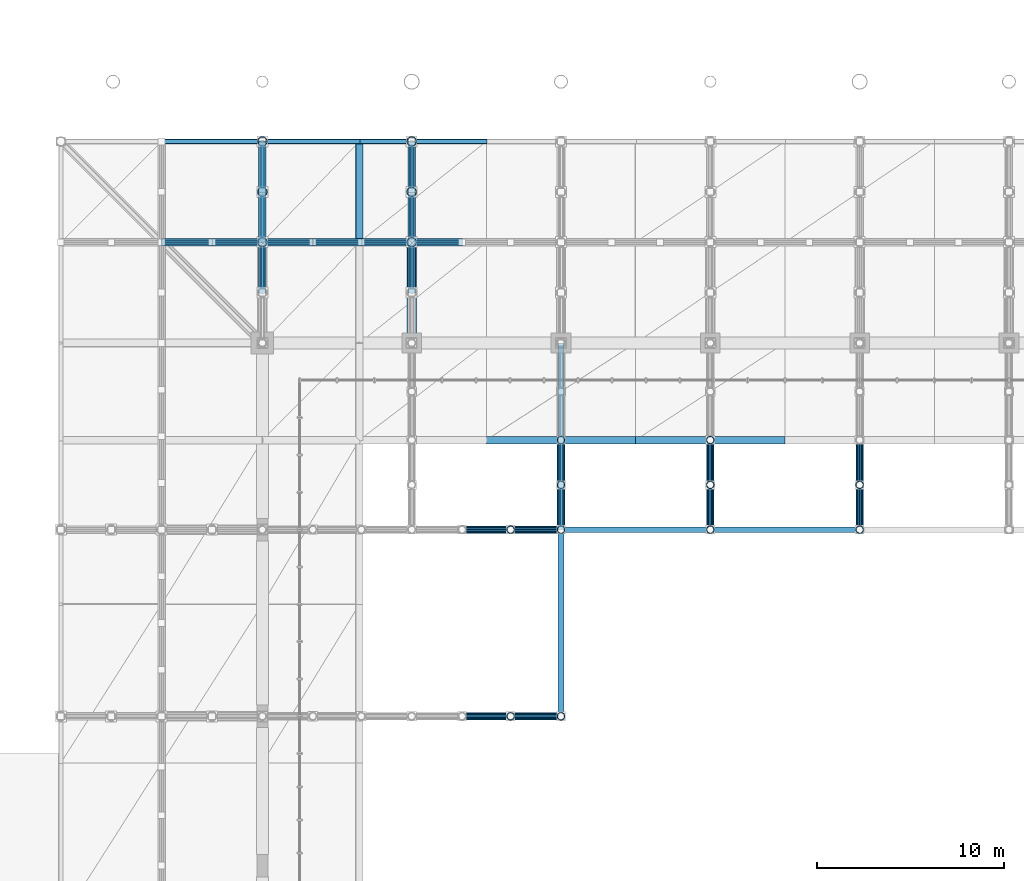
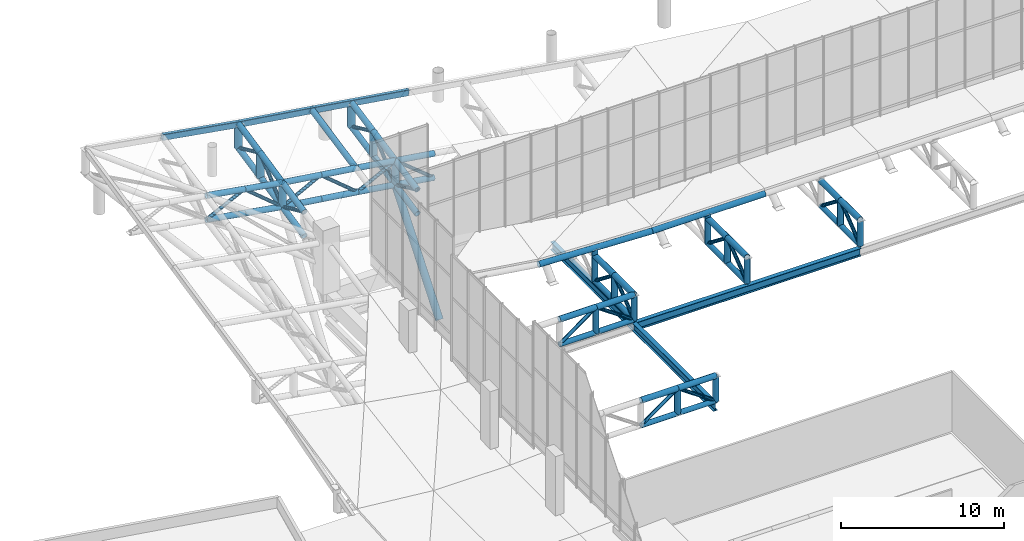
# One storey, part 43 of 137: 88 members, 6 beams.
"""IFC4 building model written with IfcOpenShell, lengths in metres."""

from ifc_helpers import new_model, si_unit, direction, frame, origin, origin_2d, place, context, subcontext, project, spatial, hollow_rectangle, hollow_circle, i_section, extrude, material, material_profile, profile_set, type_object, element, save


model = new_model("IFC4")

# Units and contexts
model_context = context("Model", 3, precision=1e-05, world=origin(), true_north=direction((0.0, 1.0)))
body_context = subcontext(model_context, "Body", "Model", "MODEL_VIEW")
ifc_project = project(units=[si_unit("LENGTHUNIT", "METRE"), si_unit("AREAUNIT", "SQUARE_METRE"), si_unit("VOLUMEUNIT", "CUBIC_METRE"), si_unit("PLANEANGLEUNIT", "RADIAN"), si_unit("MASSUNIT", "GRAM", prefix="KILO")], contexts=[model_context])

# Site, building, storey
site_placement = place(None, origin())
site = spatial("IfcSite", under=ifc_project, at=site_placement, CompositionType="ELEMENT")
building_placement = place(site_placement, origin())
building = spatial("IfcBuilding", under=site, at=building_placement, Name="Khorjan Park Terminus", CompositionType="ELEMENT")
storey_placement = place(building_placement, frame((0.0, 0.0, 11.4)))
storey = spatial("IfcBuildingStorey", under=building, at=storey_placement, Name="L02", CompositionType="ELEMENT", Elevation=11.4)

# Beams
ifc_material = material(Name="Steel S355", Category="steel")
ifc_material_profile_1 = material_profile(ifc_material, i_section(OverallWidth=0.3, OverallDepth=0.59, WebThickness=0.013, FlangeThickness=0.025, FilletRadius=0.027, at=origin_2d()), Name="HEA 600")
ifc_profile_set_1 = profile_set([ifc_material_profile_1], Name="Steel S355")
beam_type_1 = type_object("IfcBeamType", Name="BM-HEA600", PredefinedType="BEAM", material=ifc_profile_set_1)
beam_1_placement = place(storey_placement, frame((64.0, 78.0, -2.395), z_axis=(1.0, 0.0, 0.0), x_axis=(0.0, 1.0, 0.0)))
element("IfcBeam", 1, at=beam_1_placement, inside=storey, type_object=beam_type_1, Name="Lower shell truss support girder SB-A60 (X27)", PredefinedType="BEAM", context=body_context, shape_type="SweptSolid", body=[
    extrude(i_section(OverallWidth=0.3, OverallDepth=0.59, WebThickness=0.013, FlangeThickness=0.025, FilletRadius=0.027, at=origin_2d()), origin(), (0.0, 0.0, 1.0), 16.0),
])
for number, where, z_axis, x_axis, name in (
    (2, (64.0, 68.0, -2.395), (0.0, 1.0, 0.0), (-1.0, 0.0, 0.0), "Lower shell truss support girder SB-A60 (Y47)"),
    (3, (64.0, 78.0, -2.395), (0.0, 1.0, 0.0), (-1.0, 0.0, 0.0), "Lower shell truss support girder SB-A60 (Y48)"),
):
    element("IfcBeam", number, at=place(storey_placement, frame(where, z_axis=z_axis, x_axis=x_axis)), inside=storey, type_object=beam_type_1, Name=name, PredefinedType="BEAM", context=body_context, shape_type="SweptSolid", body=[
        extrude(i_section(OverallWidth=0.3, OverallDepth=0.59, WebThickness=0.013, FlangeThickness=0.025, FilletRadius=0.027, at=origin_2d()), origin(), (0.0, 0.0, 1.0), 10.0),
    ])

# Members
ifc_material_profile_2 = material_profile(ifc_material, hollow_circle(Radius=0.1222, WallThickness=0.0125, at=origin_2d()), Name="CHS 244.5x12.5")
ifc_profile_set_2 = profile_set([ifc_material_profile_2], Name="Steel S355")
member_type_1 = type_object("IfcMemberType", Name="MB-BR-245", PredefinedType="BRACE", material=ifc_profile_set_2)
for number, where, z_axis, x_axis, name in (
    (4, (64.0, 78.0, -1.92), (0.0, 0.788820985003, 0.614623017482), (-1.0, 0.0, 0.0), "Lower shell cantilever truss diagonal (3N)"),
    (5, (64.0, 80.4, -0.05), (0.0, 0.788820985003, -0.614623017482), (-1.0, 0.0, 0.0), "Lower shell cantilever truss diagonal (3N)"),
    (6, (72.0, 78.0, -1.92), (0.0, 0.788820985003, 0.614623017482), (-1.0, 0.0, 0.0), "Lower shell cantilever truss diagonal (4N)"),
    (7, (72.0, 80.4, -0.05), (0.0, 0.788820985003, -0.614623017482), (-1.0, 0.0, 0.0), "Lower shell cantilever truss diagonal (4N)"),
    (8, (80.0, 78.0, -1.92), (0.0, 0.788820985003, 0.614623017482), (-1.0, 0.0, 0.0), "Lower shell cantilever truss diagonal (5N)"),
    (9, (80.0, 80.4, -0.05), (0.0, 0.788820985003, -0.614623017482), (-1.0, 0.0, 0.0), "Lower shell cantilever truss diagonal (5N)"),
):
    element("IfcMember", number, at=place(storey_placement, frame(where, z_axis=z_axis, x_axis=x_axis)), inside=storey, type_object=member_type_1, Name=name, PredefinedType="BRACE", context=body_context, shape_type="SweptSolid", body=[
        extrude(hollow_circle(Radius=0.1222, WallThickness=0.0125, at=origin_2d()), origin(), (0.0, 0.0, 1.0), 3.0425),
    ])
member_1_placement = place(storey_placement, frame((58.7, 68.0, -1.92), z_axis=(0.811830357573, 0.0, 0.583893372562), x_axis=(0.0, 1.0, 0.0)))
element("IfcMember", 10, at=member_1_placement, inside=storey, type_object=member_type_1, Name="Lower shell W/E truss diagonal (W3)", PredefinedType="BRACE", context=body_context, shape_type="SweptSolid", body=[
    extrude(hollow_circle(Radius=0.1222, WallThickness=0.0125, at=origin_2d()), origin(), (0.0, 0.0, 1.0), 3.2026),
])
member_2_placement = place(storey_placement, frame((61.3, 68.0, -0.05), z_axis=(0.822082565391, 0.0, -0.569368295289), x_axis=(0.0, 1.0, 0.0)))
element("IfcMember", 11, at=member_2_placement, inside=storey, type_object=member_type_1, Name="Lower shell W/E truss diagonal (W3)", PredefinedType="BRACE", context=body_context, shape_type="SweptSolid", body=[
    extrude(hollow_circle(Radius=0.1222, WallThickness=0.0125, at=origin_2d()), origin(), (0.0, 0.0, 1.0), 3.2843),
])
member_3_placement = place(storey_placement, frame((58.7, 78.0, -1.92), z_axis=(0.811830357573, 0.0, 0.583893372562), x_axis=(0.0, 1.0, 0.0)))
element("IfcMember", 12, at=member_3_placement, inside=storey, type_object=member_type_1, Name="Lower shell W/E truss diagonal (W4)", PredefinedType="BRACE", context=body_context, shape_type="SweptSolid", body=[
    extrude(hollow_circle(Radius=0.1222, WallThickness=0.0125, at=origin_2d()), origin(), (0.0, 0.0, 1.0), 3.2026),
])
member_4_placement = place(storey_placement, frame((61.3, 78.0, -0.05), z_axis=(0.822082565391, 0.0, -0.569368295289), x_axis=(0.0, 1.0, 0.0)))
element("IfcMember", 13, at=member_4_placement, inside=storey, type_object=member_type_1, Name="Lower shell W/E truss diagonal (W4)", PredefinedType="BRACE", context=body_context, shape_type="SweptSolid", body=[
    extrude(hollow_circle(Radius=0.1222, WallThickness=0.0125, at=origin_2d()), origin(), (0.0, 0.0, 1.0), 3.2843),
])
ifc_material_profile_3 = material_profile(ifc_material, hollow_circle(Radius=0.1222, WallThickness=0.0125, at=origin_2d()), Name="CHS 244.5x12.5")
ifc_profile_set_3 = profile_set([ifc_material_profile_3], Name="Steel S355")
member_type_2 = type_object("IfcMemberType", Name="MB-BRE-245", PredefinedType="BRACE", material=ifc_profile_set_3)
member_5_placement = place(storey_placement, frame((48.0, 90.7, 4.0203), z_axis=(0.0, 0.910426516303, -0.413670833408), x_axis=(-1.0, 0.0, 0.0)))
element("IfcMember", 14, at=member_5_placement, inside=storey, type_object=member_type_2, Name="Lower shell cantilever truss diagonal (1N)", PredefinedType="BRACE", context=body_context, shape_type="SweptSolid", body=[
    extrude(hollow_circle(Radius=0.1222, WallThickness=0.0125, at=origin_2d()), origin(), (0.0, 0.0, 1.0), 2.9656),
])
member_6_placement = place(storey_placement, frame((48.0, 93.4, 2.7935), z_axis=(0.0, 0.751099687052, 0.660188806411), x_axis=(-1.0, 0.0, 0.0)))
element("IfcMember", 15, at=member_6_placement, inside=storey, type_object=member_type_2, Name="Lower shell cantilever truss diagonal (1N)", PredefinedType="BRACE", context=body_context, shape_type="SweptSolid", body=[
    extrude(hollow_circle(Radius=0.1222, WallThickness=0.0125, at=origin_2d()), origin(), (0.0, 0.0, 1.0), 3.5947),
])
member_7_placement = place(storey_placement, frame((48.0, 96.1, 5.1667), z_axis=(0.0, 0.910426516303, -0.413670833408), x_axis=(-1.0, 0.0, 0.0)))
element("IfcMember", 16, at=member_7_placement, inside=storey, type_object=member_type_2, Name="Lower shell cantilever truss diagonal (1N)", PredefinedType="BRACE", context=body_context, shape_type="SweptSolid", body=[
    extrude(hollow_circle(Radius=0.1222, WallThickness=0.0125, at=origin_2d()), origin(), (0.0, 0.0, 1.0), 2.9656),
])
member_8_placement = place(storey_placement, frame((56.0, 90.7, 2.8873), z_axis=(0.0, 0.907595020085, -0.419846733365), x_axis=(-1.0, 0.0, 0.0)))
element("IfcMember", 17, at=member_8_placement, inside=storey, type_object=member_type_2, Name="Lower shell cantilever truss diagonal (2N)", PredefinedType="BRACE", context=body_context, shape_type="SweptSolid", body=[
    extrude(hollow_circle(Radius=0.1222, WallThickness=0.0125, at=origin_2d()), origin(), (0.0, 0.0, 1.0), 2.9749),
])
member_9_placement = place(storey_placement, frame((56.0, 93.4, 1.6383), z_axis=(0.0, 0.755245900469, 0.655441553325), x_axis=(-1.0, 0.0, 0.0)))
element("IfcMember", 18, at=member_9_placement, inside=storey, type_object=member_type_2, Name="Lower shell cantilever truss diagonal (2N)", PredefinedType="BRACE", context=body_context, shape_type="SweptSolid", body=[
    extrude(hollow_circle(Radius=0.1222, WallThickness=0.0125, at=origin_2d()), origin(), (0.0, 0.0, 1.0), 3.575),
])
member_10_placement = place(storey_placement, frame((56.0, 96.1, 3.9815), z_axis=(0.0, 0.907595020085, -0.419846733365), x_axis=(-1.0, 0.0, 0.0)))
element("IfcMember", 19, at=member_10_placement, inside=storey, type_object=member_type_2, Name="Lower shell cantilever truss diagonal (2N)", PredefinedType="BRACE", context=body_context, shape_type="SweptSolid", body=[
    extrude(hollow_circle(Radius=0.1222, WallThickness=0.0125, at=origin_2d()), origin(), (0.0, 0.0, 1.0), 2.9749),
])
member_11_placement = place(storey_placement, frame((42.6, 93.4, 3.7096), z_axis=(0.895499207917, 0.0, 0.445063106335), x_axis=(0.0, 1.0, 0.0)))
element("IfcMember", 20, at=member_11_placement, inside=storey, type_object=member_type_2, Name="Lower shell mid-ring diagonal (N3)", PredefinedType="BRACE", context=body_context, shape_type="SweptSolid", body=[
    extrude(hollow_circle(Radius=0.1222, WallThickness=0.0125, at=origin_2d()), origin(), (0.0, 0.0, 1.0), 3.0151),
])
member_12_placement = place(storey_placement, frame((45.3, 93.4, 5.0515), z_axis=(0.767102290967, 0.0, -0.641524804816), x_axis=(0.0, 1.0, 0.0)))
element("IfcMember", 21, at=member_12_placement, inside=storey, type_object=member_type_2, Name="Lower shell mid-ring diagonal (N4)", PredefinedType="BRACE", context=body_context, shape_type="SweptSolid", body=[
    extrude(hollow_circle(Radius=0.1222, WallThickness=0.0125, at=origin_2d()), origin(), (0.0, 0.0, 1.0), 3.5197),
])
member_13_placement = place(storey_placement, frame((48.0, 93.4, 2.7935), z_axis=(0.885127912271, 0.0, 0.465347804248), x_axis=(0.0, 1.0, 0.0)))
element("IfcMember", 22, at=member_13_placement, inside=storey, type_object=member_type_2, Name="Lower shell mid-ring diagonal (N5)", PredefinedType="BRACE", context=body_context, shape_type="SweptSolid", body=[
    extrude(hollow_circle(Radius=0.1222, WallThickness=0.0125, at=origin_2d()), origin(), (0.0, 0.0, 1.0), 3.0504),
])
member_14_placement = place(storey_placement, frame((50.7, 93.4, 4.213), z_axis=(0.768114720888, 0.0, -0.640312248482), x_axis=(0.0, 1.0, 0.0)))
element("IfcMember", 23, at=member_14_placement, inside=storey, type_object=member_type_2, Name="Lower shell mid-ring diagonal (N6)", PredefinedType="BRACE", context=body_context, shape_type="SweptSolid", body=[
    extrude(hollow_circle(Radius=0.1222, WallThickness=0.0125, at=origin_2d()), origin(), (0.0, 0.0, 1.0), 3.3849),
])
member_15_placement = place(storey_placement, frame((53.3, 93.4, 2.0456), z_axis=(0.888734443095, 0.0, 0.458422392185), x_axis=(0.0, 1.0, 0.0)))
element("IfcMember", 24, at=member_15_placement, inside=storey, type_object=member_type_2, Name="Lower shell mid-ring diagonal (N7)", PredefinedType="BRACE", context=body_context, shape_type="SweptSolid", body=[
    extrude(hollow_circle(Radius=0.1222, WallThickness=0.0125, at=origin_2d()), origin(), (0.0, 0.0, 1.0), 3.038),
])
member_16_placement = place(storey_placement, frame((56.0, 93.4, 3.4383), z_axis=(0.774208919851, 0.0, -0.63293012918), x_axis=(0.0, 1.0, 0.0)))
element("IfcMember", 25, at=member_16_placement, inside=storey, type_object=member_type_2, Name="Lower shell mid-ring diagonal (N8)", PredefinedType="BRACE", context=body_context, shape_type="SweptSolid", body=[
    extrude(hollow_circle(Radius=0.1222, WallThickness=0.0125, at=origin_2d()), origin(), (0.0, 0.0, 1.0), 3.4874),
])
ifc_material_profile_4 = material_profile(ifc_material, hollow_circle(Radius=0.1778, WallThickness=0.016, at=origin_2d()), Name="CHS 355.6x16")
ifc_profile_set_4 = profile_set([ifc_material_profile_4], Name="Steel S355")
member_type_3 = type_object("IfcMemberType", Name="MB-CH-356", PredefinedType="CHORD", material=ifc_profile_set_4)
for number, where, z_axis, x_axis, name in (
    (26, (64.0, 78.0, -1.92), (0.0, 1.0, 0.0), (-1.0, 0.0, 0.0), "Lower shell cantilever truss bottom chord (3N)"),
    (27, (64.0, 80.4, -1.92), (0.0, 1.0, 0.0), (-1.0, 0.0, 0.0), "Lower shell cantilever truss bottom chord (3N)"),
    (28, (72.0, 78.0, -1.92), (0.0, 1.0, 0.0), (-1.0, 0.0, 0.0), "Lower shell cantilever truss bottom chord (4N)"),
    (29, (72.0, 80.4, -1.92), (0.0, 1.0, 0.0), (-1.0, 0.0, 0.0), "Lower shell cantilever truss bottom chord (4N)"),
    (30, (80.0, 78.0, -1.92), (0.0, 1.0, 0.0), (-1.0, 0.0, 0.0), "Lower shell cantilever truss bottom chord (5N)"),
    (31, (80.0, 80.4, -1.92), (0.0, 1.0, 0.0), (-1.0, 0.0, 0.0), "Lower shell cantilever truss bottom chord (5N)"),
):
    element("IfcMember", number, at=place(storey_placement, frame(where, z_axis=z_axis, x_axis=x_axis)), inside=storey, type_object=member_type_3, Name=name, PredefinedType="CHORD", context=body_context, shape_type="SweptSolid", body=[
        extrude(hollow_circle(Radius=0.1778, WallThickness=0.016, at=origin_2d()), origin(), (0.0, 0.0, 1.0), 2.4),
    ])
member_17_placement = place(storey_placement, frame((58.7, 68.0, -1.92), z_axis=(1.0, 0.0, 0.0), x_axis=(0.0, 1.0, 0.0)))
element("IfcMember", 32, at=member_17_placement, inside=storey, type_object=member_type_3, Name="Lower shell W/E truss bottom chord (W3)", PredefinedType="CHORD", context=body_context, shape_type="SweptSolid", body=[
    extrude(hollow_circle(Radius=0.1778, WallThickness=0.016, at=origin_2d()), origin(), (0.0, 0.0, 1.0), 2.6),
])
member_18_placement = place(storey_placement, frame((61.3, 68.0, -1.92), z_axis=(1.0, 0.0, 0.0), x_axis=(0.0, 1.0, 0.0)))
element("IfcMember", 33, at=member_18_placement, inside=storey, type_object=member_type_3, Name="Lower shell W/E truss bottom chord (W3)", PredefinedType="CHORD", context=body_context, shape_type="SweptSolid", body=[
    extrude(hollow_circle(Radius=0.1778, WallThickness=0.016, at=origin_2d()), origin(), (0.0, 0.0, 1.0), 2.7),
])
member_19_placement = place(storey_placement, frame((58.7, 78.0, -1.92), z_axis=(1.0, 0.0, 0.0), x_axis=(0.0, 1.0, 0.0)))
element("IfcMember", 34, at=member_19_placement, inside=storey, type_object=member_type_3, Name="Lower shell W/E truss bottom chord (W4)", PredefinedType="CHORD", context=body_context, shape_type="SweptSolid", body=[
    extrude(hollow_circle(Radius=0.1778, WallThickness=0.016, at=origin_2d()), origin(), (0.0, 0.0, 1.0), 2.6),
])
member_20_placement = place(storey_placement, frame((61.3, 78.0, -1.92), z_axis=(1.0, 0.0, 0.0), x_axis=(0.0, 1.0, 0.0)))
element("IfcMember", 35, at=member_20_placement, inside=storey, type_object=member_type_3, Name="Lower shell W/E truss bottom chord (W4)", PredefinedType="CHORD", context=body_context, shape_type="SweptSolid", body=[
    extrude(hollow_circle(Radius=0.1778, WallThickness=0.016, at=origin_2d()), origin(), (0.0, 0.0, 1.0), 2.7),
])
ifc_material_profile_5 = material_profile(ifc_material, hollow_circle(Radius=0.2032, WallThickness=0.016, at=origin_2d()), Name="CHS 406.4x16")
ifc_profile_set_5 = profile_set([ifc_material_profile_5], Name="Steel S355")
member_type_4 = type_object("IfcMemberType", Name="MB-CH-406", PredefinedType="CHORD", material=ifc_profile_set_5)
member_21_placement = place(storey_placement, frame((60.0, 82.8, 0.709), z_axis=(0.999215852983, 0.0, -0.039593928174), x_axis=(0.0, 1.0, 0.0)))
element("IfcMember", 36, at=member_21_placement, inside=storey, type_object=member_type_4, Name="Lower wrapping shell rim chord (93)", PredefinedType="CHORD", context=body_context, shape_type="SweptSolid", body=[
    extrude(hollow_circle(Radius=0.2032, WallThickness=0.016, at=origin_2d()), origin(), (0.0, 0.0, 1.0), 8.0063),
])
member_22_placement = place(storey_placement, frame((68.0, 82.8, 0.392), z_axis=(1.0, 0.0, 0.0), x_axis=(0.0, 1.0, 0.0)))
element("IfcMember", 37, at=member_22_placement, inside=storey, type_object=member_type_4, Name="Lower wrapping shell rim chord (94)", PredefinedType="CHORD", context=body_context, shape_type="SweptSolid", body=[
    extrude(hollow_circle(Radius=0.2032, WallThickness=0.016, at=origin_2d()), origin(), (0.0, 0.0, 1.0), 8.0),
])
for number, where, z_axis, x_axis, name in (
    (38, (64.0, 78.0, -0.05), (0.0, 1.0, 0.0), (-1.0, 0.0, 0.0), "Lower shell cantilever truss top chord (3N)"),
    (39, (64.0, 80.4, -0.05), (0.0, 1.0, 0.0), (-1.0, 0.0, 0.0), "Lower shell cantilever truss top chord (3N)"),
    (40, (72.0, 78.0, -0.05), (0.0, 1.0, 0.0), (-1.0, 0.0, 0.0), "Lower shell cantilever truss top chord (4N)"),
    (41, (72.0, 80.4, -0.05), (0.0, 1.0, 0.0), (-1.0, 0.0, 0.0), "Lower shell cantilever truss top chord (4N)"),
    (42, (80.0, 78.0, -0.05), (0.0, 1.0, 0.0), (-1.0, 0.0, 0.0), "Lower shell cantilever truss top chord (5N)"),
    (43, (80.0, 80.4, -0.05), (0.0, 1.0, 0.0), (-1.0, 0.0, 0.0), "Lower shell cantilever truss top chord (5N)"),
):
    element("IfcMember", number, at=place(storey_placement, frame(where, z_axis=z_axis, x_axis=x_axis)), inside=storey, type_object=member_type_4, Name=name, PredefinedType="CHORD", context=body_context, shape_type="SweptSolid", body=[
        extrude(hollow_circle(Radius=0.2032, WallThickness=0.016, at=origin_2d()), origin(), (0.0, 0.0, 1.0), 2.4),
    ])
member_23_placement = place(storey_placement, frame((58.7, 68.0, -0.05), z_axis=(1.0, 0.0, 0.0), x_axis=(0.0, 1.0, 0.0)))
element("IfcMember", 44, at=member_23_placement, inside=storey, type_object=member_type_4, Name="Lower shell W/E truss top chord (W3)", PredefinedType="CHORD", context=body_context, shape_type="SweptSolid", body=[
    extrude(hollow_circle(Radius=0.2032, WallThickness=0.016, at=origin_2d()), origin(), (0.0, 0.0, 1.0), 2.6),
])
member_24_placement = place(storey_placement, frame((61.3, 68.0, -0.05), z_axis=(1.0, 0.0, 0.0), x_axis=(0.0, 1.0, 0.0)))
element("IfcMember", 45, at=member_24_placement, inside=storey, type_object=member_type_4, Name="Lower shell W/E truss top chord (W3)", PredefinedType="CHORD", context=body_context, shape_type="SweptSolid", body=[
    extrude(hollow_circle(Radius=0.2032, WallThickness=0.016, at=origin_2d()), origin(), (0.0, 0.0, 1.0), 2.7),
])
member_25_placement = place(storey_placement, frame((58.7, 78.0, -0.05), z_axis=(1.0, 0.0, 0.0), x_axis=(0.0, 1.0, 0.0)))
element("IfcMember", 46, at=member_25_placement, inside=storey, type_object=member_type_4, Name="Lower shell W/E truss top chord (W4)", PredefinedType="CHORD", context=body_context, shape_type="SweptSolid", body=[
    extrude(hollow_circle(Radius=0.2032, WallThickness=0.016, at=origin_2d()), origin(), (0.0, 0.0, 1.0), 2.6),
])
member_26_placement = place(storey_placement, frame((61.3, 78.0, -0.05), z_axis=(1.0, 0.0, 0.0), x_axis=(0.0, 1.0, 0.0)))
element("IfcMember", 47, at=member_26_placement, inside=storey, type_object=member_type_4, Name="Lower shell W/E truss top chord (W4)", PredefinedType="CHORD", context=body_context, shape_type="SweptSolid", body=[
    extrude(hollow_circle(Radius=0.2032, WallThickness=0.016, at=origin_2d()), origin(), (0.0, 0.0, 1.0), 2.7),
])
ifc_material_profile_6 = material_profile(ifc_material, hollow_circle(Radius=0.2032, WallThickness=0.016, at=origin_2d()), Name="CHS 406.4x16")
ifc_profile_set_6 = profile_set([ifc_material_profile_6], Name="Steel S355")
member_type_5 = type_object("IfcMemberType", Name="MB-CHE-406", PredefinedType="CHORD", material=ifc_profile_set_6)
member_27_placement = place(storey_placement, frame((48.0, 93.4, 4.5935), z_axis=(0.0, 0.978199346233, 0.207668098245), x_axis=(-1.0, 0.0, 0.0)))
element("IfcMember", 48, at=member_27_placement, inside=storey, type_object=member_type_5, Name="Lower wrapping shell rim chord (125)", PredefinedType="CHORD", context=body_context, shape_type="SweptSolid", body=[
    extrude(hollow_circle(Radius=0.2032, WallThickness=0.016, at=origin_2d()), origin(), (0.0, 0.0, 1.0), 5.5203),
])
member_28_placement = place(storey_placement, frame((53.2, 93.4, 3.8607), z_axis=(0.0, 0.979805509738, 0.199952902172), x_axis=(-1.0, 0.0, 0.0)))
element("IfcMember", 49, at=member_28_placement, inside=storey, type_object=member_type_5, Name="Lower wrapping shell rim chord (137)", PredefinedType="CHORD", context=body_context, shape_type="SweptSolid", body=[
    extrude(hollow_circle(Radius=0.2032, WallThickness=0.016, at=origin_2d()), origin(), (0.0, 0.0, 1.0), 5.5113),
])
for number, where, z_axis, x_axis, name in (
    (50, (48.0, 90.7, 4.0203), (0.0, 0.978199346233, 0.207668098245), (-1.0, 0.0, 0.0), "Lower shell cantilever truss top chord (1N)"),
    (51, (48.0, 90.7, 2.2203), (0.0, 0.978199346233, 0.207668098245), (-1.0, 0.0, 0.0), "Lower shell cantilever truss bottom chord (1N)"),
    (52, (48.0, 93.4, 4.5935), (0.0, 0.978199346233, 0.207668098245), (-1.0, 0.0, 0.0), "Lower shell cantilever truss top chord (1N)"),
    (53, (48.0, 93.4, 2.7935), (0.0, 0.978199346233, 0.207668098245), (-1.0, 0.0, 0.0), "Lower shell cantilever truss bottom chord (1N)"),
    (54, (48.0, 96.1, 5.1667), (0.0, 0.978199346233, 0.207668098245), (-1.0, 0.0, 0.0), "Lower shell cantilever truss top chord (1N)"),
    (55, (48.0, 96.1, 3.3667), (0.0, 0.978199346233, 0.207668098245), (-1.0, 0.0, 0.0), "Lower shell cantilever truss bottom chord (1N)"),
):
    element("IfcMember", number, at=place(storey_placement, frame(where, z_axis=z_axis, x_axis=x_axis)), inside=storey, type_object=member_type_5, Name=name, PredefinedType="CHORD", context=body_context, shape_type="SweptSolid", body=[
        extrude(hollow_circle(Radius=0.2032, WallThickness=0.016, at=origin_2d()), origin(), (0.0, 0.0, 1.0), 2.7602),
    ])
for number, where, z_axis, x_axis, name in (
    (56, (56.0, 90.7, 2.8873), (0.0, 0.979805509738, 0.199952902172), (-1.0, 0.0, 0.0), "Lower shell cantilever truss top chord (2N)"),
    (57, (56.0, 90.7, 1.0873), (0.0, 0.979805509738, 0.199952902172), (-1.0, 0.0, 0.0), "Lower shell cantilever truss bottom chord (2N)"),
):
    element("IfcMember", number, at=place(storey_placement, frame(where, z_axis=z_axis, x_axis=x_axis)), inside=storey, type_object=member_type_5, Name=name, PredefinedType="CHORD", context=body_context, shape_type="SweptSolid", body=[
        extrude(hollow_circle(Radius=0.2032, WallThickness=0.016, at=origin_2d()), origin(), (0.0, 0.0, 1.0), 2.7556),
    ])
for number, where, z_axis, x_axis, name in (
    (58, (56.0, 93.4, 3.4383), (0.0, 0.980356596147, 0.197233223343), (-1.0, 0.0, 0.0), "Lower shell cantilever truss top chord (2N)"),
    (59, (56.0, 93.4, 1.6383), (0.0, 0.980356596147, 0.197233223343), (-1.0, 0.0, 0.0), "Lower shell cantilever truss bottom chord (2N)"),
):
    element("IfcMember", number, at=place(storey_placement, frame(where, z_axis=z_axis, x_axis=x_axis)), inside=storey, type_object=member_type_5, Name=name, PredefinedType="CHORD", context=body_context, shape_type="SweptSolid", body=[
        extrude(hollow_circle(Radius=0.2032, WallThickness=0.016, at=origin_2d()), origin(), (0.0, 0.0, 1.0), 2.7541),
    ])
for number, where, z_axis, x_axis, name in (
    (60, (56.0, 96.1, 3.9815), (0.0, 0.979805509738, 0.199952902172), (-1.0, 0.0, 0.0), "Lower shell cantilever truss top chord (2N)"),
    (61, (56.0, 96.1, 2.1815), (0.0, 0.979805509738, 0.199952902172), (-1.0, 0.0, 0.0), "Lower shell cantilever truss bottom chord (2N)"),
):
    element("IfcMember", number, at=place(storey_placement, frame(where, z_axis=z_axis, x_axis=x_axis)), inside=storey, type_object=member_type_5, Name=name, PredefinedType="CHORD", context=body_context, shape_type="SweptSolid", body=[
        extrude(hollow_circle(Radius=0.2032, WallThickness=0.016, at=origin_2d()), origin(), (0.0, 0.0, 1.0), 2.7556),
    ])
for number, where, z_axis, x_axis, name in (
    (62, (42.6, 93.4, 5.5096), (0.985910093926, 0.0, -0.167276079269), (0.0, 1.0, 0.0), "Lower shell mid-ring top chord (N3)"),
    (63, (42.6, 93.4, 3.7096), (0.985910093926, 0.0, -0.167276079269), (0.0, 1.0, 0.0), "Lower shell mid-ring bottom chord (N3)"),
    (64, (45.3, 93.4, 5.0515), (0.985916115378, 0.0, -0.167240585497), (0.0, 1.0, 0.0), "Lower shell mid-ring top chord (N4)"),
    (65, (45.3, 93.4, 3.2515), (0.985916115378, 0.0, -0.167240585497), (0.0, 1.0, 0.0), "Lower shell mid-ring bottom chord (N4)"),
):
    element("IfcMember", number, at=place(storey_placement, frame(where, z_axis=z_axis, x_axis=x_axis)), inside=storey, type_object=member_type_5, Name=name, PredefinedType="CHORD", context=body_context, shape_type="SweptSolid", body=[
        extrude(hollow_circle(Radius=0.2032, WallThickness=0.016, at=origin_2d()), origin(), (0.0, 0.0, 1.0), 2.7386),
    ])
for number, where, z_axis, x_axis, name in (
    (66, (48.0, 93.4, 4.5935), (0.99021544467, 0.0, -0.139547028406), (0.0, 1.0, 0.0), "Lower shell mid-ring top chord (N5)"),
    (67, (48.0, 93.4, 2.7935), (0.99021544467, 0.0, -0.139547028406), (0.0, 1.0, 0.0), "Lower shell mid-ring bottom chord (N5)"),
):
    element("IfcMember", number, at=place(storey_placement, frame(where, z_axis=z_axis, x_axis=x_axis)), inside=storey, type_object=member_type_5, Name=name, PredefinedType="CHORD", context=body_context, shape_type="SweptSolid", body=[
        extrude(hollow_circle(Radius=0.2032, WallThickness=0.016, at=origin_2d()), origin(), (0.0, 0.0, 1.0), 2.7267),
    ])
for number, where, z_axis, x_axis, name in (
    (68, (50.7, 93.4, 4.213), (0.990163141127, 0.0, -0.139917668481), (0.0, 1.0, 0.0), "Lower shell mid-ring top chord (N6)"),
    (69, (50.7, 93.4, 2.413), (0.990163141127, 0.0, -0.139917668481), (0.0, 1.0, 0.0), "Lower shell mid-ring bottom chord (N6)"),
):
    element("IfcMember", number, at=place(storey_placement, frame(where, z_axis=z_axis, x_axis=x_axis)), inside=storey, type_object=member_type_5, Name=name, PredefinedType="CHORD", context=body_context, shape_type="SweptSolid", body=[
        extrude(hollow_circle(Radius=0.2032, WallThickness=0.016, at=origin_2d()), origin(), (0.0, 0.0, 1.0), 2.6258),
    ])
for number, where, z_axis, x_axis, name in (
    (70, (53.3, 93.4, 3.8456), (0.988812441783, 0.0, -0.149164187977), (0.0, 1.0, 0.0), "Lower shell mid-ring top chord (N7)"),
    (71, (53.3, 93.4, 2.0456), (0.988812441783, 0.0, -0.149164187977), (0.0, 1.0, 0.0), "Lower shell mid-ring bottom chord (N7)"),
    (72, (56.0, 93.4, 3.4383), (0.988812441783, 0.0, -0.149164187977), (0.0, 1.0, 0.0), "Lower shell mid-ring top chord (N8)"),
    (73, (56.0, 93.4, 1.6383), (0.988812441783, 0.0, -0.149164187977), (0.0, 1.0, 0.0), "Lower shell mid-ring bottom chord (N8)"),
):
    element("IfcMember", number, at=place(storey_placement, frame(where, z_axis=z_axis, x_axis=x_axis)), inside=storey, type_object=member_type_5, Name=name, PredefinedType="CHORD", context=body_context, shape_type="SweptSolid", body=[
        extrude(hollow_circle(Radius=0.2032, WallThickness=0.016, at=origin_2d()), origin(), (0.0, 0.0, 1.0), 2.7305),
    ])
ifc_material_profile_7 = material_profile(ifc_material, hollow_circle(Radius=0.2032, WallThickness=0.016, at=origin_2d()), Name="CHS 406.4x16")
ifc_profile_set_7 = profile_set([ifc_material_profile_7], Name="Steel S355")
member_type_6 = type_object("IfcMemberType", Name="MB-ST-406", PredefinedType="STRUT", material=ifc_profile_set_7)
for number, where, z_axis, x_axis, name in (
    (74, (64.0, 78.0, -1.92), (0.0, 0.0, 1.0), (1.0, 0.0, 0.0), "Lower shell cantilever truss post (3N)"),
    (75, (64.0, 80.4, -1.92), (0.0, 0.0, 1.0), (1.0, 0.0, 0.0), "Lower shell cantilever truss post (3N)"),
):
    element("IfcMember", number, at=place(storey_placement, frame(where, z_axis=z_axis, x_axis=x_axis)), inside=storey, type_object=member_type_6, Name=name, PredefinedType="STRUT", context=body_context, shape_type="SweptSolid", body=[
        extrude(hollow_circle(Radius=0.2032, WallThickness=0.016, at=origin_2d()), origin(), (0.0, 0.0, 1.0), 1.87),
    ])
member_29_placement = place(storey_placement, frame((64.0, 82.8, -1.92), z_axis=(0.0, 0.0, 1.0), x_axis=(1.0, 0.0, 0.0)))
element("IfcMember", 76, at=member_29_placement, inside=storey, type_object=member_type_6, Name="Lower shell cantilever truss post (3N)", PredefinedType="STRUT", context=body_context, shape_type="SweptSolid", body=[
    extrude(hollow_circle(Radius=0.2032, WallThickness=0.016, at=origin_2d()), origin(), (0.0, 0.0, 1.0), 2.4705),
])
for number, where, z_axis, x_axis, name in (
    (77, (72.0, 78.0, -1.92), (0.0, 0.0, 1.0), (1.0, 0.0, 0.0), "Lower shell cantilever truss post (4N)"),
    (78, (72.0, 80.4, -1.92), (0.0, 0.0, 1.0), (1.0, 0.0, 0.0), "Lower shell cantilever truss post (4N)"),
):
    element("IfcMember", number, at=place(storey_placement, frame(where, z_axis=z_axis, x_axis=x_axis)), inside=storey, type_object=member_type_6, Name=name, PredefinedType="STRUT", context=body_context, shape_type="SweptSolid", body=[
        extrude(hollow_circle(Radius=0.2032, WallThickness=0.016, at=origin_2d()), origin(), (0.0, 0.0, 1.0), 1.87),
    ])
member_30_placement = place(storey_placement, frame((72.0, 82.8, -1.92), z_axis=(0.0, 0.0, 1.0), x_axis=(1.0, 0.0, 0.0)))
element("IfcMember", 79, at=member_30_placement, inside=storey, type_object=member_type_6, Name="Lower shell cantilever truss post (4N)", PredefinedType="STRUT", context=body_context, shape_type="SweptSolid", body=[
    extrude(hollow_circle(Radius=0.2032, WallThickness=0.016, at=origin_2d()), origin(), (0.0, 0.0, 1.0), 2.312),
])
for number, where, z_axis, x_axis, name in (
    (80, (80.0, 78.0, -1.92), (0.0, 0.0, 1.0), (1.0, 0.0, 0.0), "Lower shell cantilever truss post (5N)"),
    (81, (80.0, 80.4, -1.92), (0.0, 0.0, 1.0), (1.0, 0.0, 0.0), "Lower shell cantilever truss post (5N)"),
    (82, (61.3, 68.0, -1.92), (0.0, 0.0, 1.0), (1.0, 0.0, 0.0), "Lower shell W/E truss post (W3)"),
    (83, (64.0, 68.0, -1.92), (0.0, 0.0, 1.0), (1.0, 0.0, 0.0), "Lower shell W/E truss post (W3)"),
    (84, (61.3, 78.0, -1.92), (0.0, 0.0, 1.0), (1.0, 0.0, 0.0), "Lower shell W/E truss post (W4)"),
):
    element("IfcMember", number, at=place(storey_placement, frame(where, z_axis=z_axis, x_axis=x_axis)), inside=storey, type_object=member_type_6, Name=name, PredefinedType="STRUT", context=body_context, shape_type="SweptSolid", body=[
        extrude(hollow_circle(Radius=0.2032, WallThickness=0.016, at=origin_2d()), origin(), (0.0, 0.0, 1.0), 1.87),
    ])
ifc_material_profile_8 = material_profile(ifc_material, hollow_circle(Radius=0.254, WallThickness=0.02, at=origin_2d()), Name="CHS 508x20")
ifc_profile_set_8 = profile_set([ifc_material_profile_8], Name="Steel S355")
member_type_7 = type_object("IfcMemberType", Name="MB-STE-508", PredefinedType="STRUT", material=ifc_profile_set_8)
for number, where, z_axis, x_axis, name in (
    (85, (48.0, 93.4, 2.7935), (0.0, 0.0, 1.0), (1.0, 0.0, 0.0), "Lower shell cantilever truss post (1N)"),
    (86, (48.0, 96.1, 3.3667), (0.0, 0.0, 1.0), (1.0, 0.0, 0.0), "Lower shell cantilever truss post (1N)"),
    (87, (48.0, 98.8, 3.9399), (0.0, 0.0, 1.0), (1.0, 0.0, 0.0), "Lower shell cantilever truss post (1N)"),
    (88, (56.0, 93.4, 1.6383), (0.0, 0.0, 1.0), (1.0, 0.0, 0.0), "Lower shell cantilever truss post (2N)"),
    (89, (56.0, 96.1, 2.1815), (0.0, 0.0, 1.0), (1.0, 0.0, 0.0), "Lower shell cantilever truss post (2N)"),
    (90, (56.0, 98.8, 2.7325), (0.0, 0.0, 1.0), (1.0, 0.0, 0.0), "Lower shell cantilever truss post (2N)"),
):
    element("IfcMember", number, at=place(storey_placement, frame(where, z_axis=z_axis, x_axis=x_axis)), inside=storey, type_object=member_type_7, Name=name, PredefinedType="STRUT", context=body_context, shape_type="SweptSolid", body=[
        extrude(hollow_circle(Radius=0.254, WallThickness=0.02, at=origin_2d()), origin(), (0.0, 0.0, 1.0), 1.8),
    ])
member_31_placement = place(storey_placement, frame((56.0, 88.0, -5.2), z_axis=(0.0, 0.619739172064, 0.784807848208), x_axis=(-1.0, 0.0, 0.0)))
element("IfcMember", 91, at=member_31_placement, inside=storey, type_object=member_type_7, Name="Lower shell raked overhang V-strut STE-51 (2N)", PredefinedType="STRUT", context=body_context, shape_type="SweptSolid", body=[
    extrude(hollow_circle(Radius=0.254, WallThickness=0.02, at=origin_2d()), origin(), (0.0, 0.0, 1.0), 8.7133),
])

# Beams
ifc_material_profile_9 = material_profile(ifc_material, hollow_rectangle(XDim=0.25, YDim=0.45, WallThickness=0.016, InnerFilletRadius=0.016, OuterFilletRadius=0.032, at=origin_2d()), Name="RHS 450x250x16")
ifc_profile_set_9 = profile_set([ifc_material_profile_9], Name="Steel S355")
beam_type_2 = type_object("IfcBeamType", Name="SP-RHS450", PredefinedType="SPANDREL", material=ifc_profile_set_9)
beam_2_placement = place(storey_placement, frame((42.6, 98.8, 6.6339), z_axis=(0.985916115378, 0.0, -0.167240585497), x_axis=(0.0, 1.0, 0.0)))
element("IfcBeam", 92, at=beam_2_placement, inside=storey, type_object=beam_type_2, Name="Lower wrapping shell upturned edge beam SP-R45 (18)", PredefinedType="SPANDREL", context=body_context, shape_type="SweptSolid", body=[
    extrude(hollow_rectangle(XDim=0.25, YDim=0.45, WallThickness=0.016, InnerFilletRadius=0.016, OuterFilletRadius=0.032, at=origin_2d()), origin(), (0.0, 0.0, 1.0), 5.4771),
])
beam_3_placement = place(storey_placement, frame((48.0, 98.8, 5.7179), z_axis=(0.989014339855, 0.0, -0.147819604795), x_axis=(0.0, 1.0, 0.0)))
element("IfcBeam", 93, at=beam_3_placement, inside=storey, type_object=beam_type_2, Name="Lower wrapping shell upturned edge beam SP-R45 (19)", PredefinedType="SPANDREL", context=body_context, shape_type="SweptSolid", body=[
    extrude(hollow_rectangle(XDim=0.25, YDim=0.45, WallThickness=0.016, InnerFilletRadius=0.016, OuterFilletRadius=0.032, at=origin_2d()), origin(), (0.0, 0.0, 1.0), 5.2578),
])
beam_4_placement = place(storey_placement, frame((53.2, 98.8, 4.9407), z_axis=(0.988401253696, 0.0, -0.151864945568), x_axis=(0.0, 1.0, 0.0)))
element("IfcBeam", 94, at=beam_4_placement, inside=storey, type_object=beam_type_2, Name="Lower wrapping shell upturned edge beam SP-R45 (20)", PredefinedType="SPANDREL", context=body_context, shape_type="SweptSolid", body=[
    extrude(hollow_rectangle(XDim=0.25, YDim=0.45, WallThickness=0.016, InnerFilletRadius=0.016, OuterFilletRadius=0.032, at=origin_2d()), origin(), (0.0, 0.0, 1.0), 6.8798),
])

save(model, "model.ifc")
